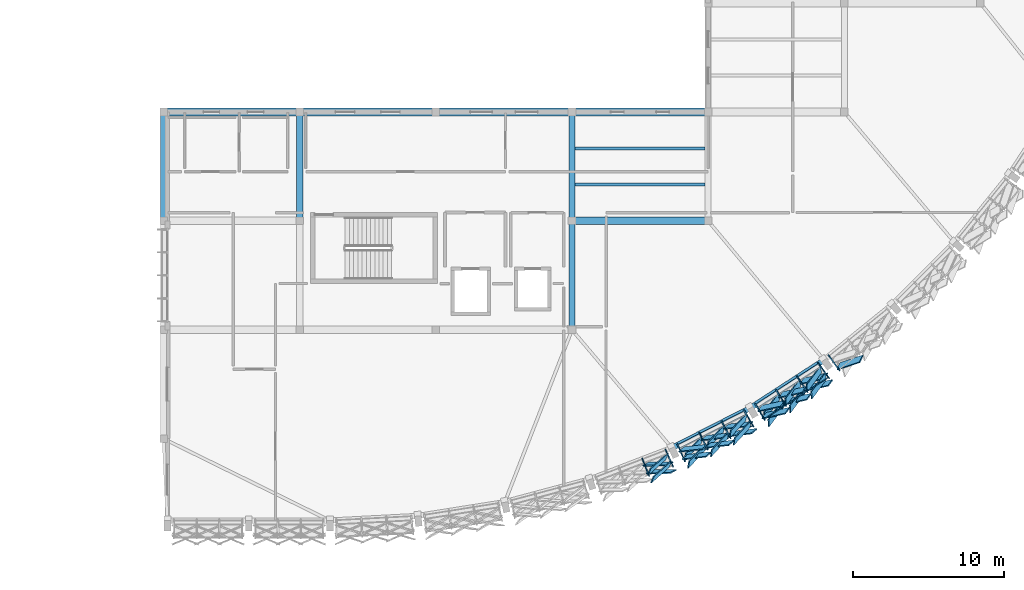
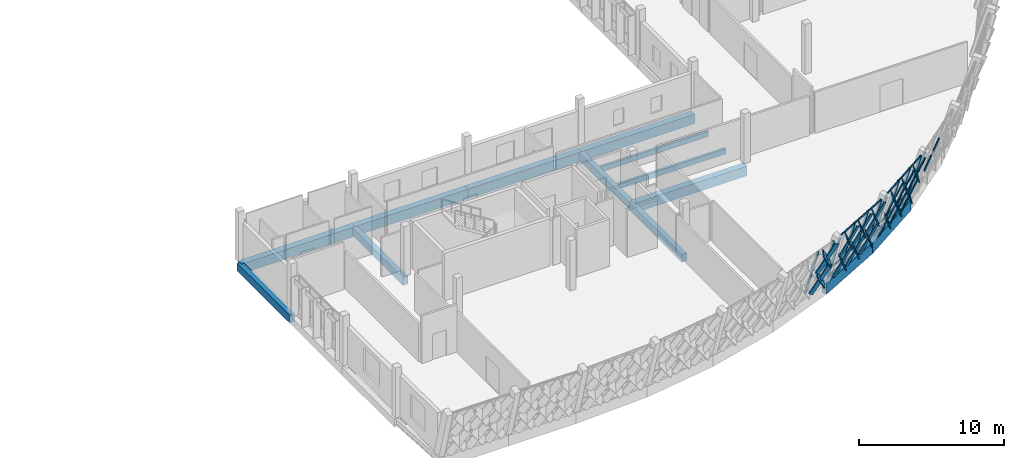
# One storey, part 7 of 24: 46 members, 13 beams, 4 elements without a shape of their own.
"""IFC4 building model written with IfcOpenShell, lengths in metres."""

from ifc_helpers import new_model, si_unit, direction, frame, origin, origin_2d, place, context, subcontext, project, spatial, rectangle, hollow_rectangle, extrude, material, material_profile, profile_set, type_object, element, aggregate, save


model = new_model("IFC4")

# Units and contexts
model_context = context("Model", 3, precision=1e-05, world=origin(), true_north=direction((0.0, 1.0)))
body_context = subcontext(model_context, "Body", "Model", "MODEL_VIEW")
ifc_project = project(units=[si_unit("LENGTHUNIT", "METRE"), si_unit("AREAUNIT", "SQUARE_METRE"), si_unit("VOLUMEUNIT", "CUBIC_METRE"), si_unit("PLANEANGLEUNIT", "RADIAN"), si_unit("MASSUNIT", "GRAM", prefix="KILO")], contexts=[model_context])

# Site, building, storey
site_placement = place(None, origin())
site = spatial("IfcSite", under=ifc_project, at=site_placement, CompositionType="ELEMENT")
building_placement = place(site_placement, origin())
building = spatial("IfcBuilding", under=site, at=building_placement, Name="Chiffa Square Polytechnic", CompositionType="ELEMENT")
storey_placement = place(building_placement, frame((0.0, 0.0, 22.199951171875)))
storey = spatial("IfcBuildingStorey", under=building, at=storey_placement, Name="L05", CompositionType="ELEMENT", Elevation=22.199951171875)

# Beams
ifc_material_1 = material(Name="Concrete C35/45", Category="concrete")
ifc_material_profile_1 = material_profile(ifc_material_1, rectangle(XDim=0.39990234375, YDim=0.64990234375, at=origin_2d()), Name="RC 400x650")
ifc_profile_set_1 = profile_set([ifc_material_profile_1], Name="Concrete C35/45")
beam_type_1 = type_object("IfcBeamType", Name="BM-RC-400X650", PredefinedType="BEAM", material=ifc_profile_set_1)
for number, where, z_axis, x_axis, name in (
    (1, (112.199951171875, 21.60009765625, -0.5849609375), (0.0, 1.0, 0.0), (-1.0, 0.0, 0.0), "Primary floor girder BM-V1-L05-Y-1122-0216"),
    (2, (121.199951171875, 21.60009765625, -0.5849609375), (0.0, 1.0, 0.0), (-1.0, 0.0, 0.0), "Primary floor girder BM-V1-L05-Y-1212-0216"),
):
    element("IfcBeam", number, at=place(storey_placement, frame(where, z_axis=z_axis, x_axis=x_axis)), inside=storey, type_object=beam_type_1, Name=name, PredefinedType="BEAM", context=body_context, shape_type="SweptSolid", body=[
        extrude(rectangle(XDim=0.39990234375, YDim=0.64990234375, at=origin_2d()), origin(), (0.0, 0.0, 1.0), 7.199951171875),
    ])
beam_1_placement = place(storey_placement, frame((139.199951171875, 14.39990234375, -0.5849609375), z_axis=(0.0, 1.0, 0.0), x_axis=(-1.0, 0.0, 0.0)))
element("IfcBeam", 3, at=beam_1_placement, inside=storey, type_object=beam_type_1, Name="Primary floor girder BM-V1-L05-Y-1392-0144", PredefinedType="BEAM", context=body_context, shape_type="SweptSolid", body=[
    extrude(rectangle(XDim=0.39990234375, YDim=0.64990234375, at=origin_2d()), origin(), (0.0, 0.0, 1.0), 7.2001953125),
])
beam_2_placement = place(storey_placement, frame((139.199951171875, 21.60009765625, -0.5849609375), z_axis=(0.0, 1.0, 0.0), x_axis=(-1.0, 0.0, 0.0)))
element("IfcBeam", 4, at=beam_2_placement, inside=storey, type_object=beam_type_1, Name="Primary floor girder BM-V1-L05-Y-1392-0216", PredefinedType="BEAM", context=body_context, shape_type="SweptSolid", body=[
    extrude(rectangle(XDim=0.39990234375, YDim=0.64990234375, at=origin_2d()), origin(), (0.0, 0.0, 1.0), 7.199951171875),
])
ifc_material_2 = material(Name="Concrete C40/50", Category="concrete")
ifc_material_profile_2 = material_profile(ifc_material_2, rectangle(XDim=0.5, YDim=0.800048828125, at=origin_2d()), Name="RC 500x800")
ifc_profile_set_2 = profile_set([ifc_material_profile_2], Name="Concrete C40/50")
beam_type_2 = type_object("IfcBeamType", Name="BM-RC-500X800", PredefinedType="BEAM", material=ifc_profile_set_2)
for number, where, z_axis, x_axis, name in (
    (5, (139.199951171875, 21.60009765625, -0.659912109375), (1.0, 0.0, 0.0), (0.0, 1.0, 0.0), "Primary floor girder BM-V1-L05-X-1392-0216"),
    (6, (112.199951171875, 28.800048828125, -0.659912109375), (1.0, 0.0, 0.0), (0.0, 1.0, 0.0), "Primary floor girder BM-V1-L05-X-1122-0288"),
    (7, (121.199951171875, 28.800048828125, -0.659912109375), (1.0, 0.0, 0.0), (0.0, 1.0, 0.0), "Primary floor girder BM-V1-L05-X-1212-0288"),
    (8, (130.199951171875, 28.800048828125, -0.659912109375), (1.0, 0.0, 0.0), (0.0, 1.0, 0.0), "Primary floor girder BM-V1-L05-X-1302-0288"),
    (9, (139.199951171875, 28.800048828125, -0.659912109375), (1.0, 0.0, 0.0), (0.0, 1.0, 0.0), "Primary floor girder BM-V1-L05-X-1392-0288"),
):
    element("IfcBeam", number, at=place(storey_placement, frame(where, z_axis=z_axis, x_axis=x_axis)), inside=storey, type_object=beam_type_2, Name=name, PredefinedType="BEAM", context=body_context, shape_type="SweptSolid", body=[
        extrude(rectangle(XDim=0.5, YDim=0.800048828125, at=origin_2d()), origin(), (0.0, 0.0, 1.0), 9.0),
    ])

# Curtain wall, members
ifc_material_3 = material(Name="Aluminium EN AW-6060 T66 and glulam shading", Category="wood")
curtain_wall_type_1 = type_object("IfcCurtainWallType", Name="CW-PROW-LEAN-300", PredefinedType="USERDEFINED", material=ifc_material_3)
curtain_wall_1_placement = place(storey_placement, origin())
curtain_wall_1 = element("IfcCurtainWall", 10, at=curtain_wall_1_placement, inside=storey, type_object=curtain_wall_type_1, Name="Outward-leaning diamond-fin prow curtain wall CW-V1-L05-083", ObjectType="CURTAIN WALL", PredefinedType="USERDEFINED")
ifc_material_4 = material(Name="Aluminium EN AW-6060 T66", Category="aluminium")
ifc_material_profile_3 = material_profile(ifc_material_4, hollow_rectangle(XDim=0.06494140625, YDim=0.179931640625, WallThickness=0.00390625, at=origin_2d()), Name="ALU 65x180x4")
ifc_profile_set_3 = profile_set([ifc_material_profile_3], Name="Aluminium EN AW-6060 T66")
member_type_1 = type_object("IfcMemberType", Name="CWM-ALU-75X180", PredefinedType="MULLION", material=ifc_profile_set_3)
member_1_placement = place(storey_placement, frame((143.857421875, 5.842041015625, 0.0), z_axis=(0.101889900451, -0.252009261313, 0.962345977494), x_axis=(0.927092403889, 0.374832862289, 0.0)))
member_1 = element("IfcMember", 11, at=member_1_placement, type_object=member_type_1, Name="Leaning prow mullion CW-V1-L05-083-M02", PredefinedType="MULLION", context=body_context, shape_type="SweptSolid", body=[
    extrude(hollow_rectangle(XDim=0.06494140625, YDim=0.179931640625, WallThickness=0.00390625, at=origin_2d()), origin(), (0.0, 0.0, 1.0), 4.1357421875),
])
member_2_placement = place(storey_placement, frame((145.39990234375, 6.43408203125, 0.0), z_axis=(0.110735408744, -0.248564395641, 0.962264729931), x_axis=(0.913453386524, 0.406943375236, 0.0)))
member_2 = element("IfcMember", 12, at=member_2_placement, type_object=member_type_1, Name="Leaning prow mullion CW-V1-L05-083-M03", PredefinedType="MULLION", context=body_context, shape_type="SweptSolid", body=[
    extrude(hollow_rectangle(XDim=0.06494140625, YDim=0.179931640625, WallThickness=0.00390625, at=origin_2d()), origin(), (0.0, 0.0, 1.0), 4.135986328125),
])

curtain_wall_type_2 = type_object("IfcCurtainWallType", Name="CW-PROW-LEAN-150", PredefinedType="USERDEFINED", material=ifc_material_3)
curtain_wall_2_placement = place(storey_placement, origin())
curtain_wall_2 = element("IfcCurtainWall", 13, at=curtain_wall_2_placement, inside=storey, type_object=curtain_wall_type_2, Name="Outward-leaning diamond-fin prow curtain wall CW-V1-L05-084", ObjectType="CURTAIN WALL", PredefinedType="USERDEFINED")
member_3_placement = place(storey_placement, frame((146.18408203125, 6.782958984375, 0.0), z_axis=(0.110735408744, -0.248564395641, 0.962264729931), x_axis=(0.913453386524, 0.406943375236, 0.0)))
member_3 = element("IfcMember", 14, at=member_3_placement, type_object=member_type_1, Name="Leaning prow mullion CW-V1-L05-084-M00", PredefinedType="MULLION", context=body_context, shape_type="SweptSolid", body=[
    extrude(hollow_rectangle(XDim=0.06494140625, YDim=0.179931640625, WallThickness=0.00390625, at=origin_2d()), origin(), (0.0, 0.0, 1.0), 4.135986328125),
])
member_4_placement = place(storey_placement, frame((147.656005859375, 7.533203125, 0.0), z_axis=(0.119187227266, -0.244277734734, 0.962352738433), x_axis=(0.898728782243, 0.43850493266, 0.0)))
member_4 = element("IfcMember", 15, at=member_4_placement, type_object=member_type_1, Name="Leaning prow mullion CW-V1-L05-084-M01", PredefinedType="MULLION", context=body_context, shape_type="SweptSolid", body=[
    extrude(hollow_rectangle(XDim=0.06494140625, YDim=0.179931640625, WallThickness=0.00390625, at=origin_2d()), origin(), (0.0, 0.0, 1.0), 4.1357421875),
])
member_5_placement = place(storey_placement, frame((149.1279296875, 8.28369140625, 0.0), z_axis=(0.127685387771, -0.240022555098, 0.962333421842), x_axis=(0.882851318868, 0.469652583058, 0.0)))
member_5 = element("IfcMember", 16, at=member_5_placement, type_object=member_type_1, Name="Leaning prow mullion CW-V1-L05-084-M02", PredefinedType="MULLION", context=body_context, shape_type="SweptSolid", body=[
    extrude(hollow_rectangle(XDim=0.06494140625, YDim=0.179931640625, WallThickness=0.00390625, at=origin_2d()), origin(), (0.0, 0.0, 1.0), 4.1357421875),
])
member_6_placement = place(storey_placement, frame((150.60009765625, 9.033935546875, 0.0), z_axis=(0.136114871209, -0.235692402748, 0.962248321964), x_axis=(0.865965261283, 0.500104155402, 0.0)))
member_6 = element("IfcMember", 17, at=member_6_placement, type_object=member_type_1, Name="Leaning prow mullion CW-V1-L05-084-M03", PredefinedType="MULLION", context=body_context, shape_type="SweptSolid", body=[
    extrude(hollow_rectangle(XDim=0.06494140625, YDim=0.179931640625, WallThickness=0.00390625, at=origin_2d()), origin(), (0.0, 0.0, 1.0), 4.13623046875),
])

curtain_wall_3_placement = place(storey_placement, origin())
curtain_wall_3 = element("IfcCurtainWall", 18, at=curtain_wall_3_placement, inside=storey, type_object=curtain_wall_type_1, Name="Outward-leaning diamond-fin prow curtain wall CW-V1-L05-085", ObjectType="CURTAIN WALL", PredefinedType="USERDEFINED")
member_7_placement = place(storey_placement, frame((151.343994140625, 9.462890625, 0.0), z_axis=(0.136114871209, -0.235692402748, 0.962248321964), x_axis=(0.865965261283, 0.500104155402, 0.0)))
member_7 = element("IfcMember", 19, at=member_7_placement, type_object=member_type_1, Name="Leaning prow mullion CW-V1-L05-085-M00", PredefinedType="MULLION", context=body_context, shape_type="SweptSolid", body=[
    extrude(hollow_rectangle(XDim=0.06494140625, YDim=0.179931640625, WallThickness=0.00390625, at=origin_2d()), origin(), (0.0, 0.0, 1.0), 4.13623046875),
])
member_8_placement = place(storey_placement, frame((152.729248046875, 10.363037109375, 0.0), z_axis=(0.144091151199, -0.230687512858, 0.962299855325), x_axis=(0.848144582559, 0.529764822422, 0.0)))
member_8 = element("IfcMember", 20, at=member_8_placement, type_object=member_type_1, Name="Leaning prow mullion CW-V1-L05-085-M01", PredefinedType="MULLION", context=body_context, shape_type="SweptSolid", body=[
    extrude(hollow_rectangle(XDim=0.06494140625, YDim=0.179931640625, WallThickness=0.00390625, at=origin_2d()), origin(), (0.0, 0.0, 1.0), 4.135986328125),
])
member_9_placement = place(storey_placement, frame((154.11474609375, 11.262939453125, 0.0), z_axis=(0.152058850833, -0.225550026799, 0.962291687221), x_axis=(0.829168033517, 0.558999438456, 0.0)))
member_9 = element("IfcMember", 21, at=member_9_placement, type_object=member_type_1, Name="Leaning prow mullion CW-V1-L05-085-M02", PredefinedType="MULLION", context=body_context, shape_type="SweptSolid", body=[
    extrude(hollow_rectangle(XDim=0.06494140625, YDim=0.179931640625, WallThickness=0.00390625, at=origin_2d()), origin(), (0.0, 0.0, 1.0), 4.135986328125),
])
member_10_placement = place(storey_placement, frame((155.5, 12.1630859375, 0.0), z_axis=(0.160065380521, -0.220503046323, 0.962162917868), x_axis=(0.809260313612, 0.587450206241, 0.0)))
member_10 = element("IfcMember", 22, at=member_10_placement, type_object=member_type_1, Name="Leaning prow mullion CW-V1-L05-085-M03", PredefinedType="MULLION", context=body_context, shape_type="SweptSolid", body=[
    extrude(hollow_rectangle(XDim=0.06494140625, YDim=0.179931640625, WallThickness=0.00390625, at=origin_2d()), origin(), (0.0, 0.0, 1.0), 4.136474609375),
])

# Curtain wall, member
curtain_wall_4_placement = place(storey_placement, origin())
curtain_wall_4 = element("IfcCurtainWall", 23, at=curtain_wall_4_placement, inside=storey, type_object=curtain_wall_type_2, Name="Outward-leaning diamond-fin prow curtain wall CW-V1-L05-086", ObjectType="CURTAIN WALL", PredefinedType="USERDEFINED")
member_11_placement = place(storey_placement, frame((156.195068359375, 12.66796875, 0.0), z_axis=(0.160009952924, -0.220448976087, 0.962184526953), x_axis=(0.809288546207, 0.587411311585, 0.0)))
member_11 = element("IfcMember", 24, at=member_11_placement, type_object=member_type_1, Name="Leaning prow mullion CW-V1-L05-086-M00", PredefinedType="MULLION", context=body_context, shape_type="SweptSolid", body=[
    extrude(hollow_rectangle(XDim=0.06494140625, YDim=0.179931640625, WallThickness=0.00390625, at=origin_2d()), origin(), (0.0, 0.0, 1.0), 4.136474609375),
])

# Member
ifc_material_5 = material(Name="Glulam GL28h", Category="wood")
ifc_material_profile_4 = material_profile(ifc_material_5, rectangle(XDim=0.080078125, YDim=0.580078125, at=origin_2d()), Name="GL28h 80x580")
ifc_profile_set_4 = profile_set([ifc_material_profile_4], Name="Glulam GL28h")
member_type_2 = type_object("IfcMemberType", Name="CWM-GL-80X580", PredefinedType="MULLION", material=ifc_profile_set_4)
member_12_placement = place(storey_placement, frame((144.0810546875, 5.513916015625, 0.0400390625), z_axis=(0.633337580864, 0.009204079881, 0.773820905364), x_axis=(-0.290849306512, 0.929452192399, 0.226991856566)))
member_12 = element("IfcMember", 25, at=member_12_placement, type_object=member_type_2, Name="Diamond glulam fin CW-V1-L05-083-DF05A", PredefinedType="MULLION", context=body_context, shape_type="SweptSolid", body=[
    extrude(rectangle(XDim=0.080078125, YDim=0.580078125, at=origin_2d()), origin(), (0.0, 0.0, 1.0), 2.52001953125),
])

member_13_placement = place(storey_placement, frame((145.4541015625, 6.041015625, 0.0400390625), z_axis=(-0.466873436886, -0.415259288085, 0.780761754692), x_axis=(0.82952176754, -0.511619080784, 0.223918631101)))
member_13 = element("IfcMember", 26, at=member_13_placement, type_object=member_type_2, Name="Diamond glulam fin CW-V1-L05-083-DF05B", PredefinedType="MULLION", context=body_context, shape_type="SweptSolid", body=[
    extrude(rectangle(XDim=0.080078125, YDim=0.580078125, at=origin_2d()), origin(), (0.0, 0.0, 1.0), 2.49755859375),
])

member_14_placement = place(storey_placement, frame((144.2880859375, 5.00390625, 1.989990234375), z_axis=(0.637300589735, 0.011480286131, 0.770529792645), x_axis=(-0.292903111353, 0.928455553174, 0.22842515873)))
member_14 = element("IfcMember", 27, at=member_14_placement, type_object=member_type_2, Name="Diamond glulam fin CW-V1-L05-083-DF06A", PredefinedType="MULLION", context=body_context, shape_type="SweptSolid", body=[
    extrude(rectangle(XDim=0.080078125, YDim=0.580078125, at=origin_2d()), origin(), (0.0, 0.0, 1.0), 2.53076171875),
])

member_15_placement = place(storey_placement, frame((145.677001953125, 5.537109375, 1.989990234375), z_axis=(-0.470964320364, -0.416438783997, 0.777670462424), x_axis=(0.827192963647, -0.514775231258, 0.225295943542)))
member_15 = element("IfcMember", 28, at=member_15_placement, type_object=member_type_2, Name="Diamond glulam fin CW-V1-L05-083-DF06B", PredefinedType="MULLION", context=body_context, shape_type="SweptSolid", body=[
    extrude(rectangle(XDim=0.080078125, YDim=0.580078125, at=origin_2d()), origin(), (0.0, 0.0, 1.0), 2.50732421875),
])

aggregate(curtain_wall_1, [member_1, member_2, member_12, member_13, member_14, member_15])

member_16_placement = place(storey_placement, frame((146.43994140625, 6.47998046875, 0.0400390625), z_axis=(0.621025806887, 0.068915975737, 0.780754465545), x_axis=(-0.450565389648, 0.846476154887, 0.283670493457)))
member_16 = element("IfcMember", 29, at=member_16_placement, type_object=member_type_2, Name="Diamond glulam fin CW-V1-L05-084-DF01A", PredefinedType="MULLION", context=body_context, shape_type="SweptSolid", body=[
    extrude(rectangle(XDim=0.080078125, YDim=0.580078125, at=origin_2d()), origin(), (0.0, 0.0, 1.0), 2.49755859375),
])

member_17_placement = place(storey_placement, frame((147.75, 7.14794921875, 0.0400390625), z_axis=(-0.430538259318, -0.46464029966, 0.773786921055), x_axis=(0.892328896687, -0.347919204709, 0.287578453874)))
member_17 = element("IfcMember", 30, at=member_17_placement, type_object=member_type_2, Name="Diamond glulam fin CW-V1-L05-084-DF01B", PredefinedType="MULLION", context=body_context, shape_type="SweptSolid", body=[
    extrude(rectangle(XDim=0.080078125, YDim=0.580078125, at=origin_2d()), origin(), (0.0, 0.0, 1.0), 2.52001953125),
])

member_18_placement = place(storey_placement, frame((146.6650390625, 5.97705078125, 1.989990234375), z_axis=(0.624769538839, 0.071744336261, 0.777506124448), x_axis=(-0.452325031093, 0.844920026354, 0.285503441859)))
member_18 = element("IfcMember", 31, at=member_18_placement, type_object=member_type_2, Name="Diamond glulam fin CW-V1-L05-084-DF02A", PredefinedType="MULLION", context=body_context, shape_type="SweptSolid", body=[
    extrude(rectangle(XDim=0.080078125, YDim=0.580078125, at=origin_2d()), origin(), (0.0, 0.0, 1.0), 2.508056640625),
])

member_19_placement = place(storey_placement, frame((147.990966796875, 6.652099609375, 1.989990234375), z_axis=(-0.434768158433, -0.46565069133, 0.770808719513), x_axis=(0.890080340833, -0.352288946281, 0.289222207293)))
member_19 = element("IfcMember", 32, at=member_19_placement, type_object=member_type_2, Name="Diamond glulam fin CW-V1-L05-084-DF02B", PredefinedType="MULLION", context=body_context, shape_type="SweptSolid", body=[
    extrude(rectangle(XDim=0.080078125, YDim=0.580078125, at=origin_2d()), origin(), (0.0, 0.0, 1.0), 2.52978515625),
])

member_20_placement = place(storey_placement, frame((147.912109375, 7.22998046875, 0.0400390625), z_axis=(0.624967343712, 0.07259819969, 0.777267856466), x_axis=(-0.453326065606, 0.844338149004, 0.285637127102)))
member_20 = element("IfcMember", 33, at=member_20_placement, type_object=member_type_2, Name="Diamond glulam fin CW-V1-L05-084-DF03A", PredefinedType="MULLION", context=body_context, shape_type="SweptSolid", body=[
    extrude(rectangle(XDim=0.080078125, YDim=0.580078125, at=origin_2d()), origin(), (0.0, 0.0, 1.0), 2.5087890625),
])

member_21_placement = place(storey_placement, frame((149.222900390625, 7.89794921875, 0.0400390625), z_axis=(-0.425700485024, -0.463170692324, 0.777336482369), x_axis=(0.894822175226, -0.343113239532, 0.285598633718)))
member_21 = element("IfcMember", 34, at=member_21_placement, type_object=member_type_2, Name="Diamond glulam fin CW-V1-L05-084-DF03B", PredefinedType="MULLION", context=body_context, shape_type="SweptSolid", body=[
    extrude(rectangle(XDim=0.080078125, YDim=0.580078125, at=origin_2d()), origin(), (0.0, 0.0, 1.0), 2.508544921875),
])

member_22_placement = place(storey_placement, frame((148.155029296875, 6.736083984375, 1.989990234375), z_axis=(0.628497901844, 0.075024271442, 0.77418456848), x_axis=(-0.45460510071, 0.843065658194, 0.287357788101)))
member_22 = element("IfcMember", 35, at=member_22_placement, type_object=member_type_2, Name="Diamond glulam fin CW-V1-L05-084-DF04A", PredefinedType="MULLION", context=body_context, shape_type="SweptSolid", body=[
    extrude(rectangle(XDim=0.080078125, YDim=0.580078125, at=origin_2d()), origin(), (0.0, 0.0, 1.0), 2.518798828125),
])

member_23_placement = place(storey_placement, frame((149.47998046875, 7.412109375, 1.989990234375), z_axis=(-0.429887196258, -0.464871253482, 0.774010152504), x_axis=(0.892745924165, -0.346950373039, 0.28745461126)))
member_23 = element("IfcMember", 36, at=member_23_placement, type_object=member_type_2, Name="Diamond glulam fin CW-V1-L05-084-DF04B", PredefinedType="MULLION", context=body_context, shape_type="SweptSolid", body=[
    extrude(rectangle(XDim=0.080078125, YDim=0.580078125, at=origin_2d()), origin(), (0.0, 0.0, 1.0), 2.519287109375),
])

member_24_placement = place(storey_placement, frame((149.385009765625, 7.98095703125, 0.0400390625), z_axis=(0.628948371235, 0.075373048802, 0.773784756786), x_axis=(-0.454814688733, 0.842876943244, 0.287579654114)))
member_24 = element("IfcMember", 37, at=member_24_placement, type_object=member_type_2, Name="Diamond glulam fin CW-V1-L05-084-DF05A", PredefinedType="MULLION", context=body_context, shape_type="SweptSolid", body=[
    extrude(rectangle(XDim=0.080078125, YDim=0.580078125, at=origin_2d()), origin(), (0.0, 0.0, 1.0), 2.52001953125),
])

member_25_placement = place(storey_placement, frame((150.695068359375, 8.64892578125, 0.0400390625), z_axis=(-0.420806297351, -0.461958318533, 0.780715423216), x_axis=(0.897374404985, -0.337990626215, 0.283692639786)))
member_25 = element("IfcMember", 38, at=member_25_placement, type_object=member_type_2, Name="Diamond glulam fin CW-V1-L05-084-DF05B", PredefinedType="MULLION", context=body_context, shape_type="SweptSolid", body=[
    extrude(rectangle(XDim=0.080078125, YDim=0.580078125, at=origin_2d()), origin(), (0.0, 0.0, 1.0), 2.49755859375),
])

member_26_placement = place(storey_placement, frame((149.64404296875, 7.4951171875, 1.989990234375), z_axis=(0.632635477768, 0.078235341944, 0.770487886693), x_axis=(-0.45650371187, 0.841339976504, 0.289398350006)))
member_26 = element("IfcMember", 39, at=member_26_placement, type_object=member_type_2, Name="Diamond glulam fin CW-V1-L05-084-DF06A", PredefinedType="MULLION", context=body_context, shape_type="SweptSolid", body=[
    extrude(rectangle(XDim=0.080078125, YDim=0.580078125, at=origin_2d()), origin(), (0.0, 0.0, 1.0), 2.53076171875),
])

member_27_placement = place(storey_placement, frame((150.969970703125, 8.1708984375, 1.989990234375), z_axis=(-0.425062665285, -0.463324146608, 0.777594023736), x_axis=(0.895213768962, -0.342210849939, 0.285454097963)))
member_27 = element("IfcMember", 40, at=member_27_placement, type_object=member_type_2, Name="Diamond glulam fin CW-V1-L05-084-DF06B", PredefinedType="MULLION", context=body_context, shape_type="SweptSolid", body=[
    extrude(rectangle(XDim=0.080078125, YDim=0.580078125, at=origin_2d()), origin(), (0.0, 0.0, 1.0), 2.507568359375),
])

member_28_placement = place(storey_placement, frame((151.6298828125, 9.18798828125, 0.0400390625), z_axis=(0.610337376614, 0.133349380378, 0.780836877626), x_axis=(-0.594487247164, 0.728568059079, 0.340255045882)))
member_28 = element("IfcMember", 41, at=member_28_placement, type_object=member_type_2, Name="Diamond glulam fin CW-V1-L05-085-DF01A", PredefinedType="MULLION", context=body_context, shape_type="SweptSolid", body=[
    extrude(rectangle(XDim=0.080078125, YDim=0.580078125, at=origin_2d()), origin(), (0.0, 0.0, 1.0), 2.497314453125),
])

member_29_placement = place(storey_placement, frame((152.863037109375, 9.989013671875, 0.0400390625), z_axis=(-0.379403843099, -0.507195893418, 0.773824947608), x_axis=(0.924017149935, -0.16487927426, 0.344974102717)))
member_29 = element("IfcMember", 42, at=member_29_placement, type_object=member_type_2, Name="Diamond glulam fin CW-V1-L05-085-DF01B", PredefinedType="MULLION", context=body_context, shape_type="SweptSolid", body=[
    extrude(rectangle(XDim=0.080078125, YDim=0.580078125, at=origin_2d()), origin(), (0.0, 0.0, 1.0), 2.519775390625),
])

member_30_placement = place(storey_placement, frame((151.906982421875, 8.7109375, 1.989990234375), z_axis=(0.613761258578, 0.13640220864, 0.777619158037), x_axis=(-0.595381847873, 0.726814589601, 0.342433946282)))
member_30 = element("IfcMember", 43, at=member_30_placement, type_object=member_type_2, Name="Diamond glulam fin CW-V1-L05-085-DF02A", PredefinedType="MULLION", context=body_context, shape_type="SweptSolid", body=[
    extrude(rectangle(XDim=0.080078125, YDim=0.580078125, at=origin_2d()), origin(), (0.0, 0.0, 1.0), 2.507568359375),
])

member_31_placement = place(storey_placement, frame((153.154052734375, 9.52099609375, 1.989990234375), z_axis=(-0.383420478403, -0.508782472222, 0.770797724893), x_axis=(0.922432579803, -0.169481500794, 0.346978611165)))
member_31 = element("IfcMember", 44, at=member_31_placement, type_object=member_type_2, Name="Diamond glulam fin CW-V1-L05-085-DF02B", PredefinedType="MULLION", context=body_context, shape_type="SweptSolid", body=[
    extrude(rectangle(XDim=0.080078125, YDim=0.580078125, at=origin_2d()), origin(), (0.0, 0.0, 1.0), 2.52978515625),
])

member_32_placement = place(storey_placement, frame((153.01611328125, 10.087890625, 0.0400390625), z_axis=(0.613877884729, 0.13714189624, 0.777396966122), x_axis=(-0.596068488644, 0.726181010129, 0.342583562615)))
member_32 = element("IfcMember", 45, at=member_32_placement, type_object=member_type_2, Name="Diamond glulam fin CW-V1-L05-085-DF03A", PredefinedType="MULLION", context=body_context, shape_type="SweptSolid", body=[
    extrude(rectangle(XDim=0.080078125, YDim=0.580078125, at=origin_2d()), origin(), (0.0, 0.0, 1.0), 2.50830078125),
])

member_33_placement = place(storey_placement, frame((154.2490234375, 10.889892578125, 0.0400390625), z_axis=(-0.37468469708, -0.505386397906, 0.777300435215), x_axis=(0.92584228895, -0.159399000054, 0.342648529508)))
member_33 = element("IfcMember", 46, at=member_33_placement, type_object=member_type_2, Name="Diamond glulam fin CW-V1-L05-085-DF03B", PredefinedType="MULLION", context=body_context, shape_type="SweptSolid", body=[
    extrude(rectangle(XDim=0.080078125, YDim=0.580078125, at=origin_2d()), origin(), (0.0, 0.0, 1.0), 2.508544921875),
])

member_34_placement = place(storey_placement, frame((153.30908203125, 9.6220703125, 1.989990234375), z_axis=(0.61734452479, 0.1397724611, 0.774176592793), x_axis=(-0.596433614302, 0.724859491788, 0.344739990276)))
member_34 = element("IfcMember", 47, at=member_34_placement, type_object=member_type_2, Name="Diamond glulam fin CW-V1-L05-085-DF04A", PredefinedType="MULLION", context=body_context, shape_type="SweptSolid", body=[
    extrude(rectangle(XDim=0.080078125, YDim=0.580078125, at=origin_2d()), origin(), (0.0, 0.0, 1.0), 2.518798828125),
])

member_35_placement = place(storey_placement, frame((154.555908203125, 10.431884765625, 1.989990234375), z_axis=(-0.378750107781, -0.507003599614, 0.774271080329), x_axis=(0.924268751588, -0.16408843295, 0.344677038704)))
member_35 = element("IfcMember", 48, at=member_35_placement, type_object=member_type_2, Name="Diamond glulam fin CW-V1-L05-085-DF04B", PredefinedType="MULLION", context=body_context, shape_type="SweptSolid", body=[
    extrude(rectangle(XDim=0.080078125, YDim=0.580078125, at=origin_2d()), origin(), (0.0, 0.0, 1.0), 2.5185546875),
])

member_36_placement = place(storey_placement, frame((154.40087890625, 10.989013671875, 0.0400390625), z_axis=(0.617850491675, 0.14007711053, 0.773717760584), x_axis=(-0.596402004418, 0.724740169548, 0.34504541117)))
member_36 = element("IfcMember", 49, at=member_36_placement, type_object=member_type_2, Name="Diamond glulam fin CW-V1-L05-085-DF05A", PredefinedType="MULLION", context=body_context, shape_type="SweptSolid", body=[
    extrude(rectangle(XDim=0.080078125, YDim=0.580078125, at=origin_2d()), origin(), (0.0, 0.0, 1.0), 2.520263671875),
])

member_37_placement = place(storey_placement, frame((155.635009765625, 11.7900390625, 0.0400390625), z_axis=(-0.369956814489, -0.503669079277, 0.780672411446), x_axis=(0.927628198192, -0.153805884373, 0.340366972328)))
member_37 = element("IfcMember", 50, at=member_37_placement, type_object=member_type_2, Name="Diamond glulam fin CW-V1-L05-085-DF05B", PredefinedType="MULLION", context=body_context, shape_type="SweptSolid", body=[
    extrude(rectangle(XDim=0.080078125, YDim=0.580078125, at=origin_2d()), origin(), (0.0, 0.0, 1.0), 2.497802734375),
])

member_38_placement = place(storey_placement, frame((154.7109375, 10.531982421875, 1.989990234375), z_axis=(0.620899073045, 0.143477377097, 0.770648157951), x_axis=(-0.597772713652, 0.722637694815, 0.347077145381)))
member_38 = element("IfcMember", 51, at=member_38_placement, type_object=member_type_2, Name="Diamond glulam fin CW-V1-L05-085-DF06A", PredefinedType="MULLION", context=body_context, shape_type="SweptSolid", body=[
    extrude(rectangle(XDim=0.080078125, YDim=0.580078125, at=origin_2d()), origin(), (0.0, 0.0, 1.0), 2.5302734375),
])

member_39_placement = place(storey_placement, frame((155.9580078125, 11.342041015625, 1.989990234375), z_axis=(-0.374143965605, -0.505026185744, 0.777794860304), x_axis=(0.926058286671, -0.158858769116, 0.342315557876)))
member_39 = element("IfcMember", 52, at=member_39_placement, type_object=member_type_2, Name="Diamond glulam fin CW-V1-L05-085-DF06B", PredefinedType="MULLION", context=body_context, shape_type="SweptSolid", body=[
    extrude(rectangle(XDim=0.080078125, YDim=0.580078125, at=origin_2d()), origin(), (0.0, 0.0, 1.0), 2.507080078125),
])

member_40_placement = place(storey_placement, frame((156.8330078125, 11.97802734375, 1.989990234375), z_axis=(0.596142899369, 0.199785273478, 0.777624258902), x_axis=(-0.710957233762, 0.581363358572, 0.395672158575)))
member_40 = element("IfcMember", 53, at=member_40_placement, type_object=member_type_2, Name="Diamond glulam fin CW-V1-L05-086-DF02A", PredefinedType="MULLION", context=body_context, shape_type="SweptSolid", body=[
    extrude(rectangle(XDim=0.080078125, YDim=0.580078125, at=origin_2d()), origin(), (0.0, 0.0, 1.0), 2.507568359375),
])

aggregate(curtain_wall_4, [member_11, member_40])

ifc_material_profile_5 = material_profile(ifc_material_4, hollow_rectangle(XDim=0.06494140625, YDim=0.139892578125, WallThickness=0.00390625, at=origin_2d()), Name="ALU 65x140x4")
ifc_profile_set_5 = profile_set([ifc_material_profile_5], Name="Aluminium EN AW-6060 T66")
member_type_3 = type_object("IfcMemberType", Name="CWT-ALU-75X140", PredefinedType="USERDEFINED", material=ifc_profile_set_5)
member_41_placement = place(storey_placement, frame((146.188720703125, 6.772705078125, 0.0400390625), z_axis=(0.890933495055, 0.454133798994, 0.0), x_axis=(-0.454133798994, 0.890933495055, 0.0)))
member_41 = element("IfcMember", 54, at=member_41_placement, type_object=member_type_3, Name="Leaning prow transom CW-V1-L05-084-T01", ObjectType="TRANSOM", PredefinedType="USERDEFINED", context=body_context, shape_type="SweptSolid", body=[
    extrude(hollow_rectangle(XDim=0.06494140625, YDim=0.139892578125, WallThickness=0.00390625, at=origin_2d()), origin(), (0.0, 0.0, 1.0), 4.957763671875),
])

member_42_placement = place(storey_placement, frame((146.28173828125, 6.5634765625, 0.85009765625), z_axis=(0.890950468955, 0.454100497543, 0.0), x_axis=(-0.454100497543, 0.890950468955, 0.0)))
member_42 = element("IfcMember", 55, at=member_42_placement, type_object=member_type_3, Name="Leaning prow transom CW-V1-L05-084-T02", ObjectType="TRANSOM", PredefinedType="USERDEFINED", context=body_context, shape_type="SweptSolid", body=[
    extrude(hollow_rectangle(XDim=0.06494140625, YDim=0.139892578125, WallThickness=0.00390625, at=origin_2d()), origin(), (0.0, 0.0, 1.0), 4.981689453125),
])

member_43_placement = place(storey_placement, frame((146.637451171875, 5.765380859375, 3.93994140625), z_axis=(0.890964560933, 0.454072847858, 0.0), x_axis=(-0.454072847858, 0.890964560933, 0.0)))
member_43 = element("IfcMember", 56, at=member_43_placement, type_object=member_type_3, Name="Leaning prow transom CW-V1-L05-084-T03", ObjectType="TRANSOM", PredefinedType="USERDEFINED", context=body_context, shape_type="SweptSolid", body=[
    extrude(hollow_rectangle(XDim=0.06494140625, YDim=0.139892578125, WallThickness=0.00390625, at=origin_2d()), origin(), (0.0, 0.0, 1.0), 5.072998046875),
])

aggregate(curtain_wall_2, [member_3, member_4, member_5, member_6, member_41, member_42, member_43, member_16, member_17, member_18, member_19, member_20, member_21, member_22, member_23, member_24, member_25, member_26, member_27])

member_44_placement = place(storey_placement, frame((151.349609375, 9.453125, 0.0400390625), z_axis=(0.838568491991, 0.544796185964, 0.0), x_axis=(-0.544796185964, 0.838568491991, 0.0)))
member_44 = element("IfcMember", 57, at=member_44_placement, type_object=member_type_3, Name="Leaning prow transom CW-V1-L05-085-T01", ObjectType="TRANSOM", PredefinedType="USERDEFINED", context=body_context, shape_type="SweptSolid", body=[
    extrude(hollow_rectangle(XDim=0.06494140625, YDim=0.139892578125, WallThickness=0.00390625, at=origin_2d()), origin(), (0.0, 0.0, 1.0), 4.957275390625),
])

member_45_placement = place(storey_placement, frame((151.464111328125, 9.2548828125, 0.85009765625), z_axis=(0.838611547039, 0.544729908462, 0.0), x_axis=(-0.544729908462, 0.838611547039, 0.0)))
member_45 = element("IfcMember", 58, at=member_45_placement, type_object=member_type_3, Name="Leaning prow transom CW-V1-L05-085-T02", ObjectType="TRANSOM", PredefinedType="USERDEFINED", context=body_context, shape_type="SweptSolid", body=[
    extrude(hollow_rectangle(XDim=0.06494140625, YDim=0.139892578125, WallThickness=0.00390625, at=origin_2d()), origin(), (0.0, 0.0, 1.0), 4.981201171875),
])

member_46_placement = place(storey_placement, frame((151.9013671875, 8.497802734375, 3.93994140625), z_axis=(0.838676677896, 0.5446296264, 0.0), x_axis=(-0.5446296264, 0.838676677896, 0.0)))
member_46 = element("IfcMember", 59, at=member_46_placement, type_object=member_type_3, Name="Leaning prow transom CW-V1-L05-085-T03", ObjectType="TRANSOM", PredefinedType="USERDEFINED", context=body_context, shape_type="SweptSolid", body=[
    extrude(hollow_rectangle(XDim=0.06494140625, YDim=0.139892578125, WallThickness=0.00390625, at=origin_2d()), origin(), (0.0, 0.0, 1.0), 5.072265625),
])

aggregate(curtain_wall_3, [member_7, member_8, member_9, member_10, member_44, member_45, member_46, member_28, member_29, member_30, member_31, member_32, member_33, member_34, member_35, member_36, member_37, member_38, member_39])

# Beams
ifc_material_profile_6 = material_profile(ifc_material_5, rectangle(XDim=0.199951171875, YDim=0.43994140625, at=origin_2d()), Name="GL28h 200x440")
ifc_profile_set_6 = profile_set([ifc_material_profile_6], Name="Glulam GL28h")
beam_type_3 = type_object("IfcBeamType", Name="JST-GL-200X440", PredefinedType="JOIST", material=ifc_profile_set_6)
for number, where, z_axis, x_axis, name in (
    (60, (139.39794921875, 24.0, -0.47998046875), (1.0, 0.0, 0.0), (0.0, 1.0, 0.0), "Secondary floor joist JST-V1-L05-1392-0240"),
    (61, (139.39794921875, 26.39990234375, -0.47998046875), (1.0, 0.0, 0.0), (0.0, 1.0, 0.0), "Secondary floor joist JST-V1-L05-1392-0264"),
):
    element("IfcBeam", number, at=place(storey_placement, frame(where, z_axis=z_axis, x_axis=x_axis)), inside=storey, type_object=beam_type_3, Name=name, PredefinedType="JOIST", context=body_context, shape_type="SweptSolid", body=[
        extrude(rectangle(XDim=0.199951171875, YDim=0.43994140625, at=origin_2d()), origin(), (0.0, 0.0, 1.0), 8.60400390625),
    ])
ifc_material_6 = material(Name="Glulam GL32c", Category="wood")
ifc_material_profile_7 = material_profile(ifc_material_6, rectangle(XDim=0.360107421875, YDim=0.89990234375, at=origin_2d()), Name="GL32c 360x900")
ifc_profile_set_7 = profile_set([ifc_material_profile_7], Name="Glulam GL32c")
beam_type_4 = type_object("IfcBeamType", Name="RB-GL-360X900", PredefinedType="SPANDREL", material=ifc_profile_set_7)
beam_3_placement = place(storey_placement, frame((145.801025390625, 6.587890625, -0.7099609375), z_axis=(0.890950104636, 0.454101212341, 0.0), x_axis=(-0.454101212341, 0.890950104636, 0.0)))
element("IfcBeam", 62, at=beam_3_placement, inside=storey, type_object=beam_type_4, Name="Prow perimeter edge beam RB-V1-PROW-L05-07", PredefinedType="SPANDREL", context=body_context, shape_type="SweptSolid", body=[
    extrude(rectangle(XDim=0.360107421875, YDim=0.89990234375, at=origin_2d()), origin(), (0.0, 0.0, 1.0), 5.816162109375),
])
beam_4_placement = place(storey_placement, frame((150.98291015625, 9.22900390625, -0.7099609375), z_axis=(0.838666985016, 0.544644552203, 0.0), x_axis=(-0.544644552203, 0.838666985016, 0.0)))
element("IfcBeam", 63, at=beam_4_placement, inside=storey, type_object=beam_type_4, Name="Prow perimeter edge beam RB-V1-PROW-L05-08", PredefinedType="SPANDREL", context=body_context, shape_type="SweptSolid", body=[
    extrude(rectangle(XDim=0.360107421875, YDim=0.89990234375, at=origin_2d()), origin(), (0.0, 0.0, 1.0), 5.816650390625),
])

save(model, "model.ifc")
